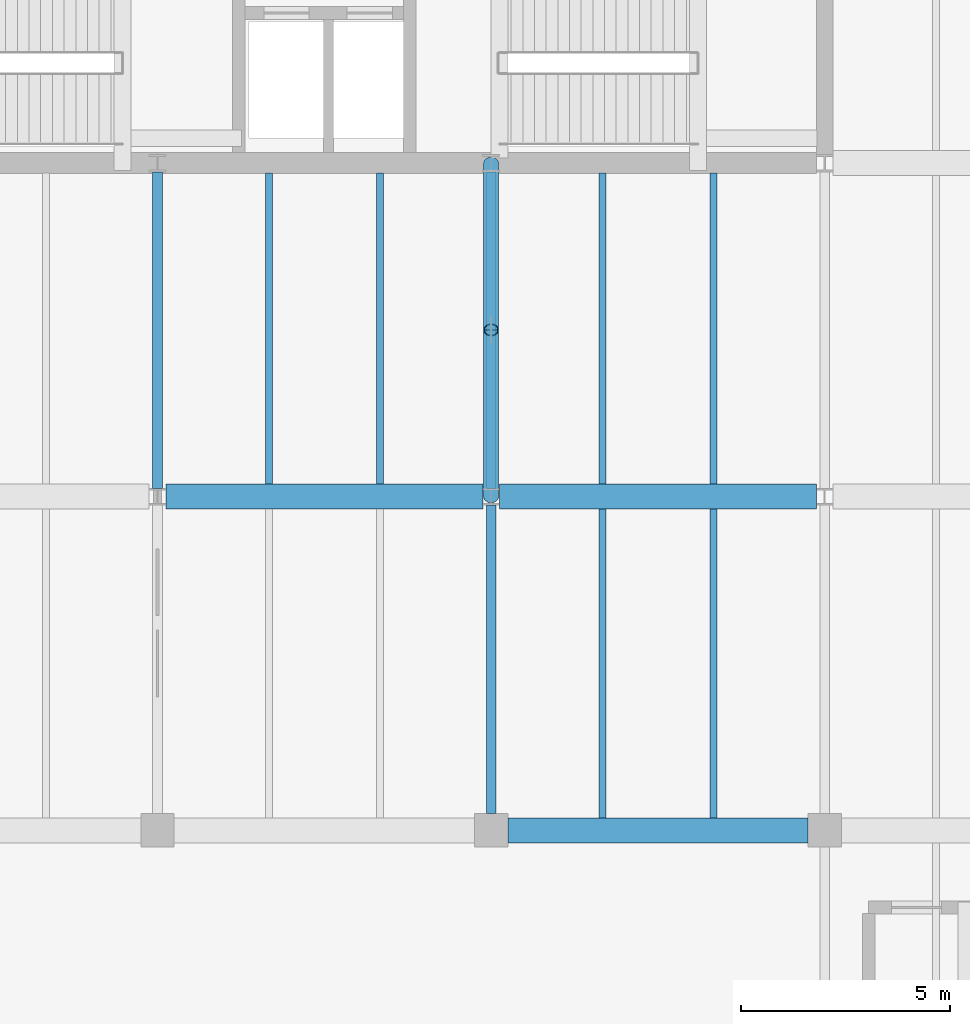
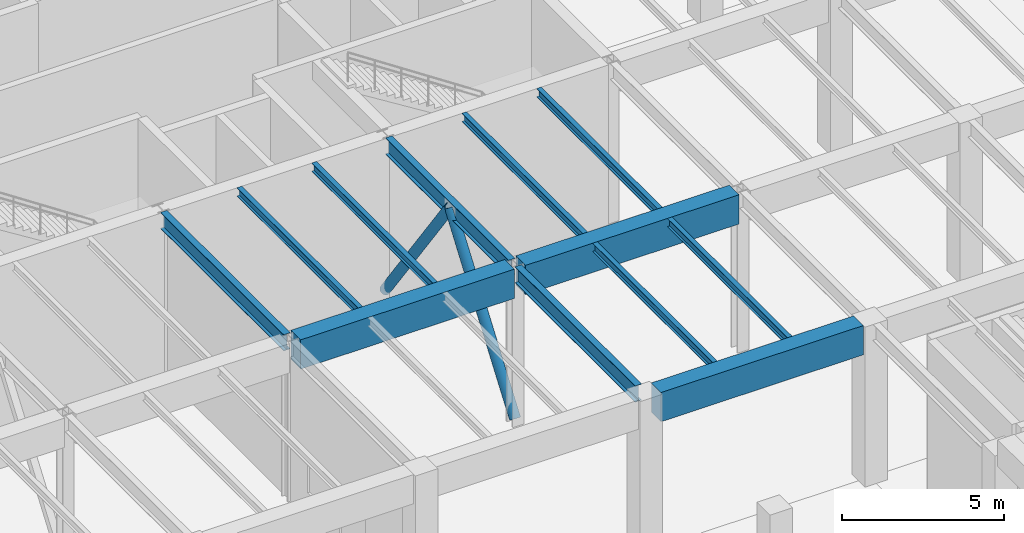
# One storey, part 9 of 51: 12 beams, 2 members.
"""IFC4 building model written with IfcOpenShell, lengths in metres."""

from ifc_helpers import new_model, si_unit, direction, frame, origin, origin_2d, place, context, subcontext, project, spatial, rectangle, hollow_circle, i_section, extrude, material, material_profile, profile_set, type_object, element, save


model = new_model("IFC4")

# Units and contexts
model_context = context("Model", 3, precision=1e-05, world=origin(), true_north=direction((0.0, 1.0)))
body_context = subcontext(model_context, "Body", "Model", "MODEL_VIEW")
ifc_project = project(units=[si_unit("LENGTHUNIT", "METRE"), si_unit("AREAUNIT", "SQUARE_METRE"), si_unit("VOLUMEUNIT", "CUBIC_METRE"), si_unit("PLANEANGLEUNIT", "RADIAN"), si_unit("MASSUNIT", "GRAM", prefix="KILO")], contexts=[model_context])

# Site, building, storey
site_placement = place(None, origin())
site = spatial("IfcSite", under=ifc_project, at=site_placement, CompositionType="ELEMENT")
building_placement = place(site_placement, origin())
building = spatial("IfcBuilding", under=site, at=building_placement, Name="Varnela Railside Interchange", CompositionType="ELEMENT")
storey_placement = place(building_placement, origin())
storey = spatial("IfcBuildingStorey", under=building, at=storey_placement, Name="L00", CompositionType="ELEMENT", Elevation=0.0)

# Beams
ifc_material_1 = material(Name="Steel AR 350 (350 MPa)", Category="steel")
ifc_material_profile_1 = material_profile(ifc_material_1, i_section(OverallWidth=0.1669921875, OverallDepth=0.31689453125, WebThickness=0.007568359375, FlangeThickness=0.01318359375, at=origin_2d()), Name="W310x52")
ifc_profile_set_1 = profile_set([ifc_material_profile_1], Name="Steel AR 350 (350 MPa)")
beam_type_1 = type_object("IfcBeamType", Name="Composite Long-Span Joist J-03", PredefinedType="JOIST", material=ifc_profile_set_1)
for number, where, z_axis, x_axis, name in (
    (1, (22.669921875, 46.300048828125, 5.861572265625), (0.0, 1.0, 0.0), (-1.0, 0.0, 0.0), "Composite Long-Span Joist J-03 (L00) (BM-1126)"),
    (2, (25.330078125, 46.300048828125, 5.861572265625), (0.0, 1.0, 0.0), (-1.0, 0.0, 0.0), "Composite Long-Span Joist J-03 (L00) (BM-1127)"),
):
    element("IfcBeam", number, at=place(storey_placement, frame(where, z_axis=z_axis, x_axis=x_axis)), inside=storey, type_object=beam_type_1, Name=name, PredefinedType="JOIST", context=body_context, shape_type="SweptSolid", body=[
        extrude(i_section(OverallWidth=0.1669921875, OverallDepth=0.31689453125, WebThickness=0.007568359375, FlangeThickness=0.01318359375, at=origin_2d()), origin(), (0.0, 0.0, 1.0), 7.4599609375),
    ])
for number, where, z_axis, x_axis, name in (
    (3, (30.669921875, 38.300048828125, 5.861572265625), (0.0, 1.0, 0.0), (-1.0, 0.0, 0.0), "Composite Long-Span Joist J-03 (L00) (BM-1134)"),
    (4, (33.330078125, 38.300048828125, 5.861572265625), (0.0, 1.0, 0.0), (-1.0, 0.0, 0.0), "Composite Long-Span Joist J-03 (L00) (BM-1135)"),
):
    element("IfcBeam", number, at=place(storey_placement, frame(where, z_axis=z_axis, x_axis=x_axis)), inside=storey, type_object=beam_type_1, Name=name, PredefinedType="JOIST", context=body_context, shape_type="SweptSolid", body=[
        extrude(i_section(OverallWidth=0.1669921875, OverallDepth=0.31689453125, WebThickness=0.007568359375, FlangeThickness=0.01318359375, at=origin_2d()), origin(), (0.0, 0.0, 1.0), 7.39990234375),
    ])
for number, where, z_axis, x_axis, name in (
    (5, (30.669921875, 46.300048828125, 5.861572265625), (0.0, 1.0, 0.0), (-1.0, 0.0, 0.0), "Composite Long-Span Joist J-03 (L00) (BM-1136)"),
    (6, (33.330078125, 46.300048828125, 5.861572265625), (0.0, 1.0, 0.0), (-1.0, 0.0, 0.0), "Composite Long-Span Joist J-03 (L00) (BM-1137)"),
):
    element("IfcBeam", number, at=place(storey_placement, frame(where, z_axis=z_axis, x_axis=x_axis)), inside=storey, type_object=beam_type_1, Name=name, PredefinedType="JOIST", context=body_context, shape_type="SweptSolid", body=[
        extrude(i_section(OverallWidth=0.1669921875, OverallDepth=0.31689453125, WebThickness=0.007568359375, FlangeThickness=0.01318359375, at=origin_2d()), origin(), (0.0, 0.0, 1.0), 7.4599609375),
    ])
ifc_material_2 = material(Name="Concrete C50", Category="concrete")
ifc_material_profile_2 = material_profile(ifc_material_2, rectangle(XDim=0.60009765625, YDim=1.10009765625, at=origin_2d()), Name="RC 600x1100")
ifc_profile_set_2 = profile_set([ifc_material_profile_2], Name="Concrete C50")
beam_type_2 = type_object("IfcBeamType", Name="Concourse RC Girder B-06", PredefinedType="BEAM", material=ifc_profile_set_2)
beam_1_placement = place(storey_placement, frame((28.39990234375, 38.0, 5.469970703125), z_axis=(1.0, 0.0, 0.0), x_axis=(0.0, 1.0, 0.0)))
element("IfcBeam", 7, at=beam_1_placement, inside=storey, type_object=beam_type_2, Name="Concourse RC Girder B-06 (L00) (BM-1211)", PredefinedType="BEAM", context=body_context, shape_type="SweptSolid", body=[
    extrude(rectangle(XDim=0.60009765625, YDim=1.10009765625, at=origin_2d()), origin(), (0.0, 0.0, 1.0), 7.2001953125),
])
for number, where, z_axis, x_axis, name in (
    (8, (20.200439453125, 46.0, 5.469970703125), (1.0, 0.0, 0.0), (0.0, 1.0, 0.0), "Concourse RC Girder B-06 (L00) (BM-1230)"),
    (9, (28.200439453125, 46.0, 5.469970703125), (1.0, 0.0, 0.0), (0.0, 1.0, 0.0), "Concourse RC Girder B-06 (L00) (BM-1231)"),
):
    element("IfcBeam", number, at=place(storey_placement, frame(where, z_axis=z_axis, x_axis=x_axis)), inside=storey, type_object=beam_type_2, Name=name, PredefinedType="BEAM", context=body_context, shape_type="SweptSolid", body=[
        extrude(rectangle(XDim=0.60009765625, YDim=1.10009765625, at=origin_2d()), origin(), (0.0, 0.0, 1.0), 7.59912109375),
    ])
ifc_material_profile_3 = material_profile(ifc_material_1, i_section(OverallWidth=0.22900390625, OverallDepth=0.612060546875, WebThickness=0.011962890625, FlangeThickness=0.01953125, at=origin_2d()), Name="W610x125")
ifc_profile_set_3 = profile_set([ifc_material_profile_3], Name="Steel AR 350 (350 MPa)")
beam_type_3 = type_object("IfcBeamType", Name="Podium Composite Girder B-15", PredefinedType="BEAM", material=ifc_profile_set_3)
beam_2_placement = place(storey_placement, frame((20.0, 46.199462890625, 5.714111328125), z_axis=(0.0, 1.0, 0.0), x_axis=(-1.0, 0.0, 0.0)))
element("IfcBeam", 10, at=beam_2_placement, inside=storey, type_object=beam_type_3, Name="Podium Composite Girder B-15 (L00) (BM-1360)", PredefinedType="BEAM", context=body_context, shape_type="SweptSolid", body=[
    extrude(i_section(OverallWidth=0.22900390625, OverallDepth=0.612060546875, WebThickness=0.011962890625, FlangeThickness=0.01953125, at=origin_2d()), origin(), (0.0, 0.0, 1.0), 7.592529296875),
])
beam_3_placement = place(storey_placement, frame((28.0, 38.39990234375, 5.714111328125), z_axis=(0.0, 1.0, 0.0), x_axis=(-1.0, 0.0, 0.0)))
element("IfcBeam", 11, at=beam_3_placement, inside=storey, type_object=beam_type_3, Name="Podium Composite Girder B-15 (L00) (BM-1364)", PredefinedType="BEAM", context=body_context, shape_type="SweptSolid", body=[
    extrude(i_section(OverallWidth=0.22900390625, OverallDepth=0.612060546875, WebThickness=0.011962890625, FlangeThickness=0.01953125, at=origin_2d()), origin(), (0.0, 0.0, 1.0), 7.400634765625),
])
beam_4_placement = place(storey_placement, frame((28.0, 46.199462890625, 5.714111328125), z_axis=(0.0, 1.0, 0.0), x_axis=(-1.0, 0.0, 0.0)))
element("IfcBeam", 12, at=beam_4_placement, inside=storey, type_object=beam_type_3, Name="Podium Composite Girder B-15 (L00) (BM-1365)", PredefinedType="BEAM", context=body_context, shape_type="SweptSolid", body=[
    extrude(i_section(OverallWidth=0.22900390625, OverallDepth=0.612060546875, WebThickness=0.011962890625, FlangeThickness=0.01953125, at=origin_2d()), origin(), (0.0, 0.0, 1.0), 7.592529296875),
])

# Members
ifc_material_profile_4 = material_profile(ifc_material_1, hollow_circle(Radius=0.177734375, WallThickness=0.02001953125, at=origin_2d()), Name="CHS 355.6x20")
ifc_profile_set_4 = profile_set([ifc_material_profile_4], Name="Steel AR 350 (350 MPa)")
member_type = type_object("IfcMemberType", Name="Tubular Core Brace BR-10", PredefinedType="BRACE", material=ifc_profile_set_4)
for number, where, z_axis, x_axis, name in (
    (13, (28.0, 46.0, 0.14990234375), (0.0, 0.586773887058, 0.809750829247), (-1.0, 0.0, 0.0), "Tubular Core Brace BR-10 (L00) (MB-0007)"),
    (14, (28.0, 54.0, 0.14990234375), (0.0, -0.586773887058, 0.809750829247), (1.0, 0.0, 0.0), "Tubular Core Brace BR-10 (L00) (MB-0008)"),
):
    element("IfcMember", number, at=place(storey_placement, frame(where, z_axis=z_axis, x_axis=x_axis)), inside=storey, type_object=member_type, Name=name, PredefinedType="BRACE", context=body_context, shape_type="SweptSolid", body=[
        extrude(hollow_circle(Radius=0.177734375, WallThickness=0.02001953125, at=origin_2d()), origin(), (0.0, 0.0, 1.0), 6.81689453125),
    ])

save(model, "model.ifc")
